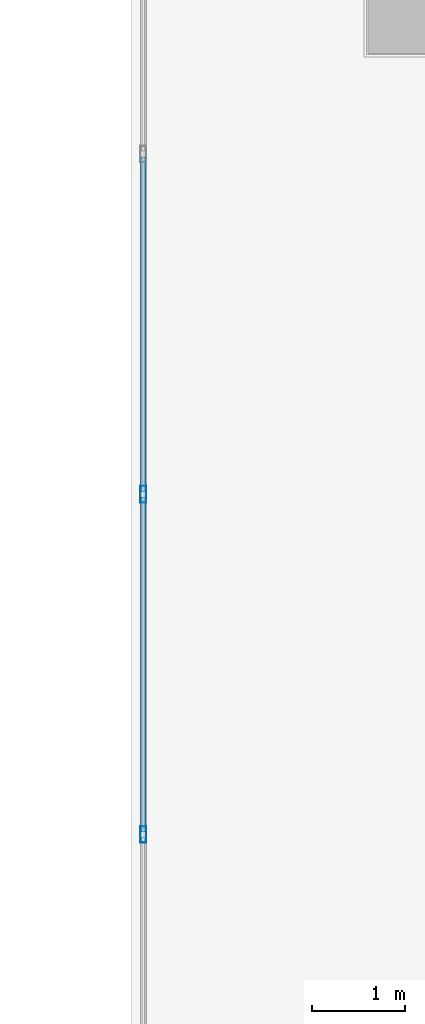
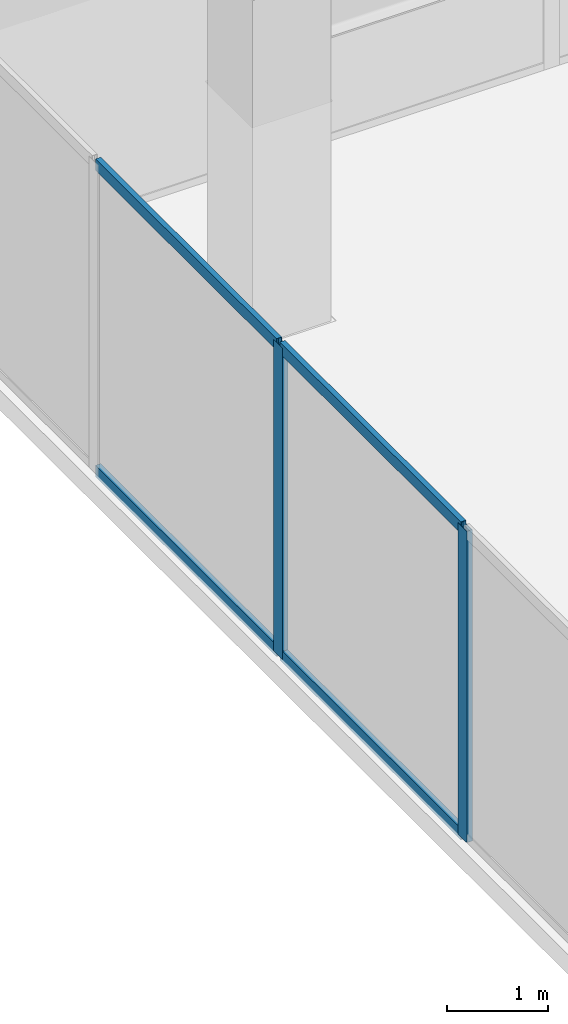
# One storey, part 10 of 32: 6 members, 1 element without a shape of its own.
"""IFC4 building model written with IfcOpenShell, lengths in metres."""

import ifcopenshell
import ifcopenshell.guid

model = None  # the IFC model being written
_history = None  # IfcOwnerHistory: only IFC2X3 demands one
_inside = {}  # id of a spatial element -> (the spatial element, [elements in it])
_under = {}  # id of a project, library or spatial element -> (it, [spatial elements below it])
_declared = {}  # id of a project -> (the project, [libraries it declares])
_typed = {}  # id of a type object -> (the type object, [elements of that type])
_made_of = {}  # id of a material, layer set ... -> (it, [elements and type objects made of it])


def new_model(schema):
    """Start an empty IFC model of exactly this schema.

    Asked for "IFC4X3", IfcOpenShell would pick the latest addendum, in which some entities
    have other attributes; the version numbers below select the first issue.
    IFC2X3 requires an IfcOwnerHistory on every rooted entity: one is made here for all.
    """
    global model, _history
    if schema == "IFC4X3":
        model = ifcopenshell.file(schema_version=(4, 3, 0, 0))
    else:
        model = ifcopenshell.file(schema=schema)
    _inside.clear()
    _under.clear()
    _declared.clear()
    _typed.clear()
    _made_of.clear()
    _history = None
    if model.schema == "IFC2X3":
        org = make("IfcOrganization", Name="unknown")
        user = make(
            "IfcPersonAndOrganization",
            ThePerson=make("IfcPerson", FamilyName="unknown"),
            TheOrganization=org,
        )
        app = make(
            "IfcApplication",
            ApplicationDeveloper=org,
            Version="unknown",
            ApplicationFullName="unknown",
            ApplicationIdentifier="unknown",
        )
        _history = make(
            "IfcOwnerHistory",
            OwningUser=user,
            OwningApplication=app,
            ChangeAction="ADDED",
            CreationDate=0,
        )
    return model


def make(cls, **values):
    """One entity of the class cls with the attributes given. An attribute that is None is left unset."""
    return model.create_entity(
        cls, **{name: value for name, value in values.items() if value is not None}
    )


def rooted(cls, **values):
    """An entity with a GlobalId (a new one), such as an element, a storey or a relation."""
    return make(cls, GlobalId=ifcopenshell.guid.new(), OwnerHistory=_history, **values)


def si_unit(unit_type, name, prefix=None):
    """IfcSIUnit, for example si_unit("LENGTHUNIT", "METRE", prefix="MILLI")."""
    return make("IfcSIUnit", UnitType=unit_type, Prefix=prefix, Name=name)


def assignment(units):
    """IfcUnitAssignment: the units of a project."""
    return None if units is None else make("IfcUnitAssignment", Units=units)


def point(xyz):
    """IfcCartesianPoint."""
    return None if xyz is None else make("IfcCartesianPoint", Coordinates=xyz)


def direction(xyz):
    """IfcDirection."""
    return None if xyz is None else make("IfcDirection", DirectionRatios=xyz)


def frame(location, z_axis=None, x_axis=None):
    """IfcAxis2Placement3D, a coordinate frame: its origin and axes. An axis left out is left unset."""
    return make(
        "IfcAxis2Placement3D",
        Location=point(location),
        Axis=direction(z_axis),
        RefDirection=direction(x_axis),
    )


def frame_2d(location, x_axis=None):
    """IfcAxis2Placement2D, a coordinate frame in the plane: its origin and x axis."""
    return make(
        "IfcAxis2Placement2D", Location=point(location), RefDirection=direction(x_axis)
    )


def origin():
    """The frame at (0, 0, 0) with its axes left unset."""
    return frame((0.0, 0.0, 0.0))


def origin_2d():
    """The frame at (0, 0) in the plane with its x axis left unset."""
    return frame_2d((0.0, 0.0))


def place(relative_to, where):
    """IfcLocalPlacement: puts the frame where relative to a parent placement (None: the world)."""
    return make(
        "IfcLocalPlacement", PlacementRelTo=relative_to, RelativePlacement=where
    )


def context(
    kind, dimensions, precision=None, world=None, true_north=None, identifier=None
):
    """IfcGeometricRepresentationContext, for example the 3D "Model" context."""
    return make(
        "IfcGeometricRepresentationContext",
        ContextIdentifier=identifier,
        ContextType=kind,
        CoordinateSpaceDimension=dimensions,
        Precision=precision,
        WorldCoordinateSystem=world,
        TrueNorth=true_north,
    )


def subcontext(parent, identifier, kind, view, scale=None):
    """IfcGeometricRepresentationSubContext, for example "Body" below "Model"."""
    return make(
        "IfcGeometricRepresentationSubContext",
        ContextIdentifier=identifier,
        ContextType=kind,
        ParentContext=parent,
        TargetScale=scale,
        TargetView=view,
    )


def project(units=None, contexts=None):
    """IfcProject with its units and contexts."""
    return rooted(
        "IfcProject",
        Name="project",
        RepresentationContexts=contexts,
        UnitsInContext=assignment(units),
    )


def spatial(cls, under=None, at=None, **own):
    """A site, building, storey or space (cls), placed at a placement, below another one or the project."""
    s = rooted(cls, ObjectPlacement=at, **own)
    if under is not None:
        _under.setdefault(under.id(), (under, []))[1].append(s)
    return s


def profile(cls, at=None, kind="AREA", **sizes):
    """A parametric profile (cls). Its sizes go by their IFC names, for example OverallWidth=200.0."""
    return make(cls, ProfileType=kind, Position=at, **sizes)


def hollow_rectangle(**sizes):
    """IfcRectangleHollowProfileDef."""
    return profile("IfcRectangleHollowProfileDef", **sizes)


def extrude(swept, where, along, depth):
    """IfcExtrudedAreaSolid: the profile swept, set in the frame where, extruded along a direction by depth."""
    return make(
        "IfcExtrudedAreaSolid",
        SweptArea=swept,
        Position=where,
        ExtrudedDirection=direction(along),
        Depth=depth,
    )


def shape(context_of_items, identifier, shape_type, items):
    """IfcShapeRepresentation: the items that make up one representation, for example the "Body"."""
    return make(
        "IfcShapeRepresentation",
        ContextOfItems=context_of_items,
        RepresentationIdentifier=identifier,
        RepresentationType=shape_type,
        Items=items,
    )


def material(Name=None, Category=None):
    """IfcMaterial."""
    return make("IfcMaterial", Name=Name, Category=Category)


def layer(
    of_material, thickness, ventilated=None, Name=None, Category=None, Priority=None
):
    """IfcMaterialLayer: one layer of a wall or slab, of a material (None: an air gap)."""
    return make(
        "IfcMaterialLayer",
        Material=of_material,
        LayerThickness=thickness,
        IsVentilated=ventilated,
        Name=Name,
        Category=Category,
        Priority=Priority,
    )


def layer_set(layers, Name=None):
    """IfcMaterialLayerSet."""
    return make("IfcMaterialLayerSet", MaterialLayers=layers, LayerSetName=Name)


def material_profile(
    of_material, cross_section, Name=None, Category=None, Priority=None
):
    """IfcMaterialProfile: a cross section and its material."""
    return make(
        "IfcMaterialProfile",
        Name=Name,
        Material=of_material,
        Profile=cross_section,
        Priority=Priority,
        Category=Category,
    )


def profile_set(profiles, Name=None, composite=None):
    """IfcMaterialProfileSet."""
    return make(
        "IfcMaterialProfileSet",
        Name=Name,
        MaterialProfiles=profiles,
        CompositeProfile=composite,
    )


def made_of(thing, what):
    """Note that an element or type object is made of a material, layer set ...; save() writes the relation."""
    if what is not None:
        _made_of.setdefault(what.id(), (what, []))[1].append(thing)
    return thing


def type_object(cls, material=None, **own):
    """A type object (cls), such as IfcWallType, which elements share."""
    return made_of(rooted(cls, **own), material)


def element(
    cls,
    number,
    at=None,
    inside=None,
    cuts=None,
    type_object=None,
    material=None,
    context=None,
    identifier="Body",
    shape_type=None,
    held_by="IfcProductDefinitionShape",
    body=None,
    shapes=None,
    **own,
):
    """One element of the class cls, such as IfcWall. Its Tag is "e" and its number.

    at: its placement. inside: the storey or other place that contains it. cuts: it is an
    opening in that element (IfcRelVoidsElement). A single representation is given by context,
    identifier, shape_type and body (its items); several are given by shapes. held_by: the class
    of the entity that holds the representations. save() writes the other relations.
    """
    e = rooted(cls, Tag="e%d" % number, ObjectPlacement=at, **own)
    if body is not None:
        shapes = [shape(context, identifier, shape_type, body)]
    if shapes is not None:
        e.Representation = make(held_by, Representations=shapes)
    if inside is not None:
        _inside.setdefault(inside.id(), (inside, []))[1].append(e)
    if cuts is not None:
        rooted(
            "IfcRelVoidsElement", RelatingBuildingElement=cuts, RelatedOpeningElement=e
        )
    if type_object is not None:
        _typed.setdefault(type_object.id(), (type_object, []))[1].append(e)
    return made_of(e, material)


def aggregate(whole, parts):
    """IfcRelAggregates: a whole, such as a stair, and the parts it consists of."""
    return rooted("IfcRelAggregates", RelatingObject=whole, RelatedObjects=parts)


def save(model, path):
    """Write the relations noted so far, then the file.

    IfcRelAggregates (storeys below a building ...), IfcRelContainedInSpatialStructure (elements
    in a storey), IfcRelDefinesByType, IfcRelAssociatesMaterial and IfcRelDeclares: one each for
    every whole, place, type object, material and project.
    """
    for whole, parts in _under.values():
        aggregate(whole, parts)
    for where, things in _inside.values():
        rooted(
            "IfcRelContainedInSpatialStructure",
            RelatedElements=things,
            RelatingStructure=where,
        )
    for kind, things in _typed.values():
        rooted("IfcRelDefinesByType", RelatedObjects=things, RelatingType=kind)
    for what, things in _made_of.values():
        rooted("IfcRelAssociatesMaterial", RelatedObjects=things, RelatingMaterial=what)
    for by, libraries in _declared.values():
        rooted("IfcRelDeclares", RelatingContext=by, RelatedDefinitions=libraries)
    model.write(path)


model = new_model("IFC4")

# Units and contexts
model_context = context("Model", 3, precision=1e-05, world=origin(), true_north=direction((0.0, 1.0)))
body_context = subcontext(model_context, "Body", "Model", "MODEL_VIEW")
ifc_project = project(units=[si_unit("LENGTHUNIT", "METRE"), si_unit("AREAUNIT", "SQUARE_METRE"), si_unit("VOLUMEUNIT", "CUBIC_METRE"), si_unit("PLANEANGLEUNIT", "RADIAN"), si_unit("MASSUNIT", "GRAM", prefix="KILO")], contexts=[model_context])

# Site, building, storey
site_placement = place(None, origin())
site = spatial("IfcSite", under=ifc_project, at=site_placement, CompositionType="ELEMENT")
building_placement = place(site_placement, origin())
building = spatial("IfcBuilding", under=site, at=building_placement, Name="Haolan Belvedere Tower", CompositionType="ELEMENT")
storey_placement = place(building_placement, frame((0.0, 0.0, 15.60009765625)))
storey = spatial("IfcBuildingStorey", under=building, at=storey_placement, Name="L03", CompositionType="ELEMENT", Elevation=15.60009765625)

# Curtain wall, members
ifc_material_1 = material(Name="Anodised champagne-silver aluminium 6063-T6 and Low-E glass", Category="aluminium")
ifc_layer = layer(ifc_material_1, 0.179931640625, Name="Anodised champagne-silver aluminium 6063-T6 and Low-E glass")
ifc_layer_set = layer_set([ifc_layer], Name="Anodised champagne-silver aluminium 6063-T6 and Low-E glass")
curtain_wall_type = type_object("IfcCurtainWallType", Name="CW-SYS-01", PredefinedType="NOTDEFINED", material=ifc_layer_set)
curtain_wall_placement = place(storey_placement, origin())
curtain_wall = element("IfcCurtainWall", 1, at=curtain_wall_placement, inside=storey, type_object=curtain_wall_type, Name="L03 CW-SYS-01 ribbon curtain wall 4.1", PredefinedType="NOTDEFINED")
ifc_material_2 = material(Name="Anodised aluminium 6063-T6", Category="aluminium")
ifc_material_profile_1 = material_profile(ifc_material_2, hollow_rectangle(XDim=0.06494140625, YDim=0.179931640625, WallThickness=0.00390625, at=origin_2d()), Name="Anodised aluminium 6063-T6")
ifc_profile_set_1 = profile_set([ifc_material_profile_1], Name="Anodised aluminium 6063-T6")
member_type_1 = type_object("IfcMemberType", Name="CW-SYS-01-MUL", PredefinedType="MULLION", material=ifc_profile_set_1)
member_1_placement = place(storey_placement, frame((3.72998046875, 46.396240234375, 0.0), z_axis=(0.0, 0.0, 1.0), x_axis=(1.0, 0.0, 0.0)))
member_1 = element("IfcMember", 2, at=member_1_placement, type_object=member_type_1, Name="CW-01 mullion 3", PredefinedType="MULLION", context=body_context, shape_type="SweptSolid", body=[
    extrude(hollow_rectangle(XDim=0.06494140625, YDim=0.179931640625, WallThickness=0.00390625, at=origin_2d()), origin(), (0.0, 0.0, 1.0), 3.77978515625),
])
member_2_placement = place(storey_placement, frame((3.72998046875, 42.729248046875, 0.0), z_axis=(0.0, 0.0, 1.0), x_axis=(1.0, 0.0, 0.0)))
member_2 = element("IfcMember", 3, at=member_2_placement, type_object=member_type_1, Name="CW-01 mullion 4", PredefinedType="MULLION", context=body_context, shape_type="SweptSolid", body=[
    extrude(hollow_rectangle(XDim=0.06494140625, YDim=0.179931640625, WallThickness=0.00390625, at=origin_2d()), origin(), (0.0, 0.0, 1.0), 3.77978515625),
])
ifc_material_profile_2 = material_profile(ifc_material_2, hollow_rectangle(XDim=0.06005859375, YDim=0.139892578125, WallThickness=0.00390625, at=origin_2d()), Name="Anodised aluminium 6063-T6")
ifc_profile_set_2 = profile_set([ifc_material_profile_2], Name="Anodised aluminium 6063-T6")
member_type_2 = type_object("IfcMemberType", Name="CW-SYS-01-TRN", PredefinedType="USERDEFINED", material=ifc_profile_set_2)
member_3_placement = place(storey_placement, frame((3.72998046875, 50.030517578125, 0.02978515625), z_axis=(0.0, -1.0, 0.0), x_axis=(1.0, 0.0, 0.0)))
member_3 = element("IfcMember", 4, at=member_3_placement, type_object=member_type_2, Name="CW-01 transom 2.1", ObjectType="TRANSOM", PredefinedType="USERDEFINED", context=body_context, shape_type="SweptSolid", body=[
    extrude(hollow_rectangle(XDim=0.06005859375, YDim=0.139892578125, WallThickness=0.00390625, at=origin_2d()), origin(), (0.0, 0.0, 1.0), 3.601806640625),
])
member_4_placement = place(storey_placement, frame((3.72998046875, 50.030517578125, 3.75), z_axis=(0.0, -1.0, 0.0), x_axis=(1.0, 0.0, 0.0)))
member_4 = element("IfcMember", 5, at=member_4_placement, type_object=member_type_2, Name="CW-01 transom 2.2", ObjectType="TRANSOM", PredefinedType="USERDEFINED", context=body_context, shape_type="SweptSolid", body=[
    extrude(hollow_rectangle(XDim=0.06005859375, YDim=0.139892578125, WallThickness=0.00390625, at=origin_2d()), origin(), (0.0, 0.0, 1.0), 3.601806640625),
])
member_5_placement = place(storey_placement, frame((3.72998046875, 46.363525390625, 0.02978515625), z_axis=(0.0, -1.0, 0.0), x_axis=(1.0, 0.0, 0.0)))
member_5 = element("IfcMember", 6, at=member_5_placement, type_object=member_type_2, Name="CW-01 transom 3.1", ObjectType="TRANSOM", PredefinedType="USERDEFINED", context=body_context, shape_type="SweptSolid", body=[
    extrude(hollow_rectangle(XDim=0.06005859375, YDim=0.139892578125, WallThickness=0.00390625, at=origin_2d()), origin(), (0.0, 0.0, 1.0), 3.601806640625),
])
member_6_placement = place(storey_placement, frame((3.72998046875, 46.363525390625, 3.75), z_axis=(0.0, -1.0, 0.0), x_axis=(1.0, 0.0, 0.0)))
member_6 = element("IfcMember", 7, at=member_6_placement, type_object=member_type_2, Name="CW-01 transom 3.2", ObjectType="TRANSOM", PredefinedType="USERDEFINED", context=body_context, shape_type="SweptSolid", body=[
    extrude(hollow_rectangle(XDim=0.06005859375, YDim=0.139892578125, WallThickness=0.00390625, at=origin_2d()), origin(), (0.0, 0.0, 1.0), 3.601806640625),
])
aggregate(curtain_wall, [member_1, member_2, member_3, member_4, member_5, member_6])

save(model, "model.ifc")
